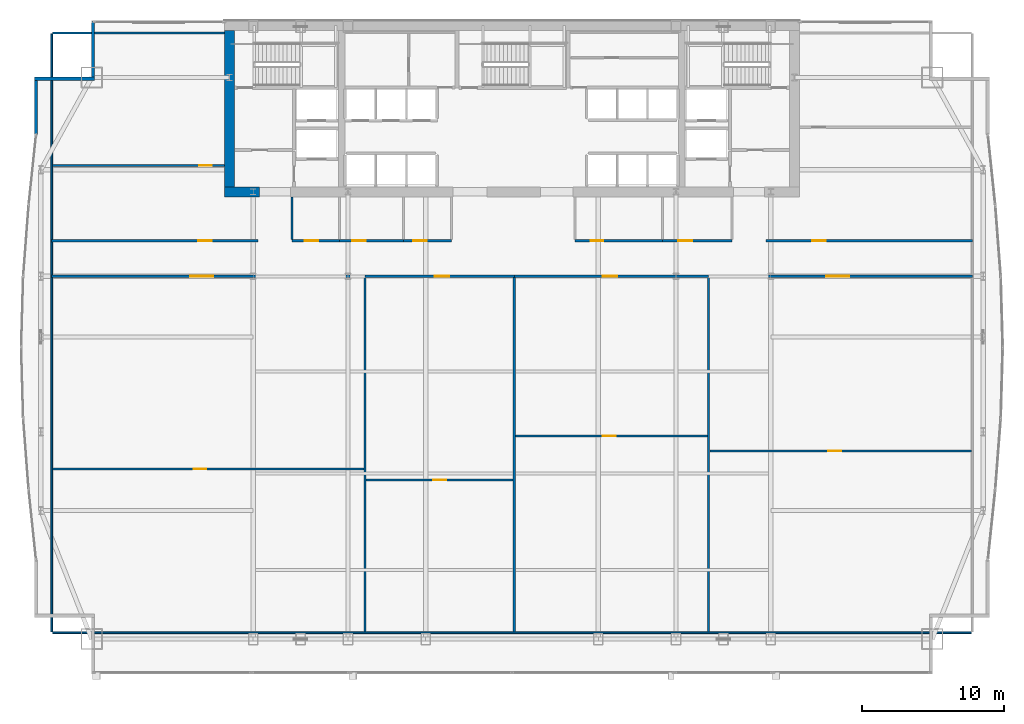
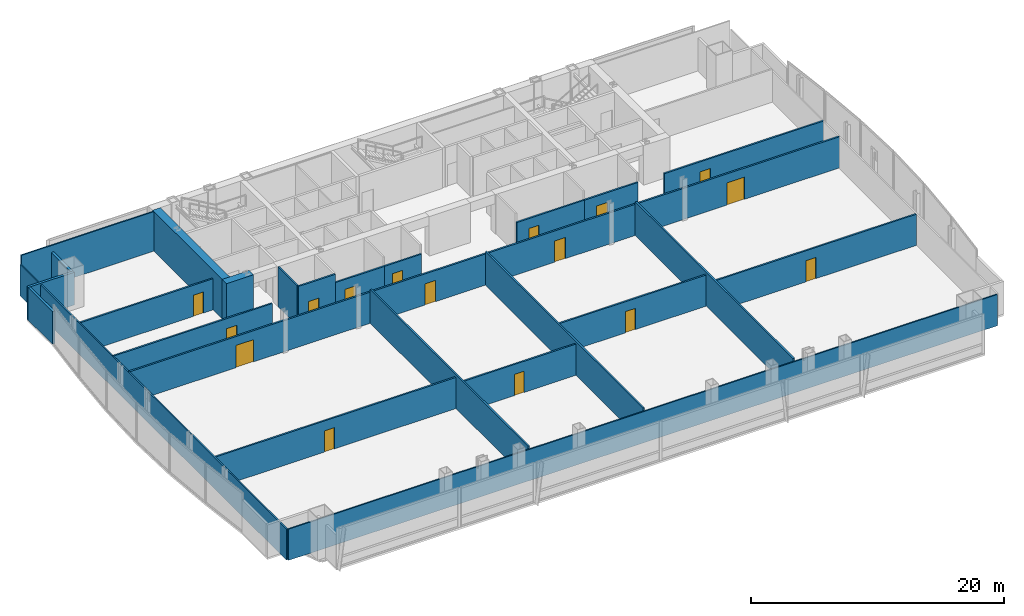
# One storey, part 26 of 30: 28 walls, 16 doors, 16 openings.
"""IFC4 building model written with IfcOpenShell, lengths in metres."""

from ifc_helpers import new_model, si_unit, direction, frame, frame_2d, origin, place, context, subcontext, project, spatial, rectangle, extrude, material, layer, layer_set, type_object, element, fill, save


model = new_model("IFC4")

# Units and contexts
model_context = context("Model", 3, precision=1e-05, world=origin(), true_north=direction((0.0, 1.0)))
body_context = subcontext(model_context, "Body", "Model", "MODEL_VIEW")
ifc_project = project(units=[si_unit("LENGTHUNIT", "METRE"), si_unit("AREAUNIT", "SQUARE_METRE"), si_unit("VOLUMEUNIT", "CUBIC_METRE"), si_unit("PLANEANGLEUNIT", "RADIAN"), si_unit("MASSUNIT", "GRAM", prefix="KILO")], contexts=[model_context])

# Site, building, storey
site_placement = place(None, origin())
site = spatial("IfcSite", under=ifc_project, at=site_placement, CompositionType="ELEMENT")
building_placement = place(site_placement, origin())
building = spatial("IfcBuilding", under=site, at=building_placement, Name="Khoronbel Lancet Exchange", CompositionType="ELEMENT")
storey_placement = place(building_placement, frame((0.0, 0.0, 90.60009765625)))
storey = spatial("IfcBuildingStorey", under=building, at=storey_placement, Name="L21", CompositionType="ELEMENT", Elevation=90.60009765625)

# Walls
ifc_material_1 = material(Name="Concrete C80/95", Category="concrete")
ifc_layer_1 = layer(ifc_material_1, 0.699951171875, Name="Concrete C80/95")
ifc_layer_set_1 = layer_set([ifc_layer_1], Name="Concrete C80/95")
wall_type_1 = type_object("IfcWallType", Name="WL-CW2", PredefinedType="SHEAR", material=ifc_layer_set_1)
wall_1_placement = place(storey_placement, frame((16.550048828125, 42.0, 0.0), z_axis=(0.0, 0.0, 1.0), x_axis=(0.0, 1.0, 0.0)))
element("IfcWall", 1, at=wall_1_placement, inside=storey, type_object=wall_type_1, Name="Level L21 rear core west shear wall", PredefinedType="SHEAR", context=body_context, shape_type="SweptSolid", body=[
    extrude(rectangle(XDim=11.0, YDim=0.699951171875, at=frame_2d((5.5, 0.0))), origin(), (0.0, 0.0, 1.0), 3.81982421875),
])
wall_2_placement = place(storey_placement, frame((18.64990234375, 41.64990234375, 0.0), z_axis=(0.0, 0.0, 1.0), x_axis=(-1.0, 0.0, 0.0)))
element("IfcWall", 2, at=wall_2_placement, inside=storey, type_object=wall_type_1, Name="Level L21 rear core south shear wall pier P1", PredefinedType="SHEAR", context=body_context, shape_type="SweptSolid", body=[
    extrude(rectangle(XDim=2.449951171875, YDim=0.699951171875, at=frame_2d((1.22509765625, 0.0))), origin(), (0.0, 0.0, 1.0), 3.81982421875),
])
ifc_material_2 = material(Name="Precast concrete C40/50", Category="concrete")
ifc_layer_2 = layer(ifc_material_2, 0.25, Name="Precast concrete C40/50")
ifc_layer_set_2 = layer_set([ifc_layer_2], Name="Precast concrete C40/50")
wall_type_2 = type_object("IfcWallType", Name="WL-EXT250", PredefinedType="SOLIDWALL", material=ifc_layer_set_2)
wall_3_placement = place(storey_placement, frame((2.93994140625, 45.67529296875, 0.0), z_axis=(0.0, 0.0, 1.0), x_axis=(0.0, 1.0, 0.0)))
element("IfcWall", 3, at=wall_3_placement, inside=storey, type_object=wall_type_2, Name="Level L21 notched-corner limestone pier 10", PredefinedType="SOLIDWALL", context=body_context, shape_type="SweptSolid", body=[
    extrude(rectangle(XDim=3.82470703125, YDim=0.219970703125, at=frame_2d((1.912353515625, 0.0))), origin(), (0.0, 0.0, 1.0), 3.159912109375),
])
wall_4_placement = place(storey_placement, frame((2.830078125, 49.610107421875, 0.0), z_axis=(0.0, 0.0, 1.0), x_axis=(1.0, 0.0, 0.0)))
element("IfcWall", 4, at=wall_4_placement, inside=storey, type_object=wall_type_2, Name="Level L21 notched-corner limestone pier 11", PredefinedType="SOLIDWALL", context=body_context, shape_type="SweptSolid", body=[
    extrude(rectangle(XDim=4.219970703125, YDim=0.219970703125, at=frame_2d((2.10986328125, 0.0))), origin(), (0.0, 0.0, 1.0), 3.159912109375),
])
wall_5_placement = place(storey_placement, frame((6.93994140625, 49.719970703125, 0.0), z_axis=(0.0, 0.0, 1.0), x_axis=(0.0, 1.0, 0.0)))
element("IfcWall", 5, at=wall_5_placement, inside=storey, type_object=wall_type_2, Name="Level L21 notched-corner limestone pier 12", PredefinedType="SOLIDWALL", context=body_context, shape_type="SweptSolid", body=[
    extrude(rectangle(XDim=3.909912109375, YDim=0.219970703125, at=frame_2d((1.955078125, 0.0))), origin(), (0.0, 0.0, 1.0), 3.159912109375),
])
ifc_material_3 = material(Name="Acoustic Metal-Stud & Mineral-Wool Gypsum Partition 120 mm", Category="gypsum")
ifc_layer_3 = layer(ifc_material_3, 0.1201171875, Name="Acoustic Metal-Stud & Mineral-Wool Gypsum Partition 120 mm")
ifc_layer_set_3 = layer_set([ifc_layer_3], Name="Acoustic Metal-Stud & Mineral-Wool Gypsum Partition 120 mm")
wall_type_3 = type_object("IfcWallType", Name="WL-PRT120", PredefinedType="PARTITIONING", material=ifc_layer_set_3)
wall_6_placement = place(storey_placement, frame((20.949951171875, 38.280029296875, 0.0), z_axis=(0.0, 0.0, 1.0), x_axis=(0.0, 1.0, 0.0)))
element("IfcWall", 6, at=wall_6_placement, inside=storey, type_object=wall_type_3, Name="Level L21 interior partition PW-WC-0", PredefinedType="PARTITIONING", context=body_context, shape_type="SweptSolid", body=[
    extrude(rectangle(XDim=3.02001953125, YDim=0.14990234375, at=frame_2d((1.510009765625, 0.0))), origin(), (0.0, 0.0, 1.0), 3.81982421875),
])

# Wall, opening, door
wall_7_placement = place(storey_placement, frame((4.094970703125, 43.5, 0.0), z_axis=(0.0, 0.0, 1.0), x_axis=(1.0, 0.0, 0.0)))
wall_7 = element("IfcWall", 7, at=wall_7_placement, inside=storey, type_object=wall_type_3, Name="Level L21 interior partition PW-NW-H", PredefinedType="PARTITIONING", context=body_context, shape_type="SweptSolid", body=[
    extrude(rectangle(XDim=12.10498046875, YDim=0.14990234375, at=frame_2d((6.052490234375, 0.0))), origin(), (0.0, 0.0, 1.0), 3.010009765625),
])
opening_1_placement = place(wall_7_placement, frame((10.320068359375, 0.0, 0.0)))
opening_1 = element("IfcOpeningElement", 8, at=opening_1_placement, cuts=wall_7, Name="Opening D5", PredefinedType="OPENING", context=body_context, shape_type="SweptSolid", body=[
    extrude(rectangle(XDim=0.89990234375, YDim=2.050048828125, at=frame_2d((0.449951171875, 1.02490234375))), frame((0.0, 0.0849609375, 0.0), z_axis=(0.0, -1.0, 0.0), x_axis=(1.0, 0.0, 0.0)), (0.0, 0.0, 1.0), 0.169921875),
])
ifc_material_4 = material(Name="Acoustic Timber Pantry & Support Door", Category="wood")
door_type_1 = type_object("IfcDoorType", Name="DR-D5", OperationType="NOTDEFINED", PredefinedType="DOOR", material=ifc_material_4)
door_1_placement = place(opening_1_placement, origin())
door_1 = element("IfcDoor", 9, at=door_1_placement, inside=storey, type_object=door_type_1, Name="NW north room door L21-1", OperationType="SINGLE_SWING_LEFT", OverallHeight=2.050048828125, OverallWidth=0.89990234375, PredefinedType="DOOR", context=body_context, shape_type="SweptSolid", body=[
    extrude(rectangle(XDim=0.89990234375, YDim=2.050048828125, at=frame_2d((0.449951171875, 1.02490234375))), frame((0.0, 0.02490234375, 0.0), z_axis=(0.0, -1.0, 0.0), x_axis=(1.0, 0.0, 0.0)), (0.0, 0.0, 1.0), 0.050048828125),
])
fill(opening_1, door_1)

wall_8_placement = place(storey_placement, frame((4.094970703125, 22.121337890625, 0.0), z_axis=(0.0, 0.0, 1.0), x_axis=(1.0, 0.0, 0.0)))
wall_8 = element("IfcWall", 10, at=wall_8_placement, inside=storey, type_object=wall_type_3, Name="Level L21 interior partition PW-Z1S-H1", PredefinedType="PARTITIONING", context=body_context, shape_type="SweptSolid", body=[
    extrude(rectangle(XDim=21.92822265625, YDim=0.14990234375, at=frame_2d((10.964111328125, 0.0))), origin(), (0.0, 0.0, 1.0), 3.010009765625),
])
opening_2_placement = place(wall_8_placement, frame((9.932861328125, 0.0, 0.0)))
opening_2 = element("IfcOpeningElement", 11, at=opening_2_placement, cuts=wall_8, Name="Opening D5", PredefinedType="OPENING", context=body_context, shape_type="SweptSolid", body=[
    extrude(rectangle(XDim=0.89990234375, YDim=2.050048828125, at=frame_2d((0.449951171875, 1.02490234375))), frame((0.0, 0.0849609375, 0.0), z_axis=(0.0, -1.0, 0.0), x_axis=(1.0, 0.0, 0.0)), (0.0, 0.0, 1.0), 0.169921875),
])
door_2_placement = place(opening_2_placement, origin())
door_2 = element("IfcDoor", 12, at=door_2_placement, inside=storey, type_object=door_type_1, Name="Z1S inner door 1 L21-1", OperationType="SINGLE_SWING_LEFT", OverallHeight=2.050048828125, OverallWidth=0.89990234375, PredefinedType="DOOR", context=body_context, shape_type="SweptSolid", body=[
    extrude(rectangle(XDim=0.89990234375, YDim=2.050048828125, at=frame_2d((0.449951171875, 1.02490234375))), frame((0.0, 0.02490234375, 0.0), z_axis=(0.0, -1.0, 0.0), x_axis=(1.0, 0.0, 0.0)), (0.0, 0.0, 1.0), 0.050048828125),
])
fill(opening_2, door_2)

wall_9_placement = place(storey_placement, frame((26.18310546875, 21.35400390625, 0.0), z_axis=(0.0, 0.0, 1.0), x_axis=(1.0, 0.0, 0.0)))
wall_9 = element("IfcWall", 13, at=wall_9_placement, inside=storey, type_object=wall_type_3, Name="Level L21 interior partition PW-Z1S-H2", PredefinedType="PARTITIONING", context=body_context, shape_type="SweptSolid", body=[
    extrude(rectangle(XDim=10.34619140625, YDim=0.14990234375, at=frame_2d((5.173095703125, 0.0))), origin(), (0.0, 0.0, 1.0), 3.010009765625),
])
opening_3_placement = place(wall_9_placement, frame((4.727783203125, 0.0, 0.0)))
opening_3 = element("IfcOpeningElement", 14, at=opening_3_placement, cuts=wall_9, Name="Opening D5", PredefinedType="OPENING", context=body_context, shape_type="SweptSolid", body=[
    extrude(rectangle(XDim=0.89990234375, YDim=2.050048828125, at=frame_2d((0.449951171875, 1.02490234375))), frame((0.0, 0.0849609375, 0.0), z_axis=(0.0, -1.0, 0.0), x_axis=(1.0, 0.0, 0.0)), (0.0, 0.0, 1.0), 0.169921875),
])
door_3_placement = place(opening_3_placement, origin())
door_3 = element("IfcDoor", 15, at=door_3_placement, inside=storey, type_object=door_type_1, Name="Z1S inner door 2 L21-1", OperationType="SINGLE_SWING_LEFT", OverallHeight=2.050048828125, OverallWidth=0.89990234375, PredefinedType="DOOR", context=body_context, shape_type="SweptSolid", body=[
    extrude(rectangle(XDim=0.89990234375, YDim=2.050048828125, at=frame_2d((0.449951171875, 1.02490234375))), frame((0.0, 0.02490234375, 0.0), z_axis=(0.0, -1.0, 0.0), x_axis=(1.0, 0.0, 0.0)), (0.0, 0.0, 1.0), 0.050048828125),
])
fill(opening_3, door_3)

wall_10_placement = place(storey_placement, frame((36.689208984375, 24.45947265625, 0.0), z_axis=(0.0, 0.0, 1.0), x_axis=(1.0, 0.0, 0.0)))
wall_10 = element("IfcWall", 16, at=wall_10_placement, inside=storey, type_object=wall_type_3, Name="Level L21 interior partition PW-Z1S-H3", PredefinedType="PARTITIONING", context=body_context, shape_type="SweptSolid", body=[
    extrude(rectangle(XDim=13.529541015625, YDim=0.14990234375, at=frame_2d((6.7646484375, 0.0))), origin(), (0.0, 0.0, 1.0), 3.010009765625),
])
opening_4_placement = place(wall_10_placement, frame((6.160400390625, 0.0, 0.0)))
opening_4 = element("IfcOpeningElement", 17, at=opening_4_placement, cuts=wall_10, Name="Opening D5", PredefinedType="OPENING", context=body_context, shape_type="SweptSolid", body=[
    extrude(rectangle(XDim=0.89990234375, YDim=2.050048828125, at=frame_2d((0.449951171875, 1.02490234375))), frame((0.0, 0.0849609375, 0.0), z_axis=(0.0, -1.0, 0.0), x_axis=(1.0, 0.0, 0.0)), (0.0, 0.0, 1.0), 0.169921875),
])
door_4_placement = place(opening_4_placement, origin())
door_4 = element("IfcDoor", 18, at=door_4_placement, inside=storey, type_object=door_type_1, Name="Z1S inner door 3 L21-1", OperationType="SINGLE_SWING_LEFT", OverallHeight=2.050048828125, OverallWidth=0.89990234375, PredefinedType="DOOR", context=body_context, shape_type="SweptSolid", body=[
    extrude(rectangle(XDim=0.89990234375, YDim=2.050048828125, at=frame_2d((0.449951171875, 1.02490234375))), frame((0.0, 0.02490234375, 0.0), z_axis=(0.0, -1.0, 0.0), x_axis=(1.0, 0.0, 0.0)), (0.0, 0.0, 1.0), 0.050048828125),
])
fill(opening_4, door_4)

wall_11_placement = place(storey_placement, frame((50.37890625, 23.404052734375, 0.0), z_axis=(0.0, 0.0, 1.0), x_axis=(1.0, 0.0, 0.0)))
wall_11 = element("IfcWall", 19, at=wall_11_placement, inside=storey, type_object=wall_type_3, Name="Level L21 interior partition PW-Z1S-H4", PredefinedType="PARTITIONING", context=body_context, shape_type="SweptSolid", body=[
    extrude(rectangle(XDim=18.426025390625, YDim=0.14990234375, at=frame_2d((9.212890625, 0.0))), origin(), (0.0, 0.0, 1.0), 3.010009765625),
])
opening_5_placement = place(wall_11_placement, frame((8.35693359375, 0.0, 0.0)))
opening_5 = element("IfcOpeningElement", 20, at=opening_5_placement, cuts=wall_11, Name="Opening D5", PredefinedType="OPENING", context=body_context, shape_type="SweptSolid", body=[
    extrude(rectangle(XDim=0.89990234375, YDim=2.050048828125, at=frame_2d((0.449951171875, 1.02490234375))), frame((0.0, 0.0849609375, 0.0), z_axis=(0.0, -1.0, 0.0), x_axis=(1.0, 0.0, 0.0)), (0.0, 0.0, 1.0), 0.169921875),
])
door_5_placement = place(opening_5_placement, origin())
door_5 = element("IfcDoor", 21, at=door_5_placement, inside=storey, type_object=door_type_1, Name="Z1S inner door 4 L21-1", OperationType="SINGLE_SWING_RIGHT", OverallHeight=2.050048828125, OverallWidth=0.89990234375, PredefinedType="DOOR", context=body_context, shape_type="SweptSolid", body=[
    extrude(rectangle(XDim=0.89990234375, YDim=2.050048828125, at=frame_2d((0.449951171875, 1.02490234375))), frame((0.0, 0.02490234375, 0.0), z_axis=(0.0, -1.0, 0.0), x_axis=(1.0, 0.0, 0.0)), (0.0, 0.0, 1.0), 0.050048828125),
])
fill(opening_5, door_5)

# Walls
wall_12_placement = place(storey_placement, frame((4.030029296875, 10.6650390625, 0.0), z_axis=(0.0, 0.0, 1.0), x_axis=(0.0, 1.0, 0.0)))
element("IfcWall", 22, at=wall_12_placement, inside=storey, type_object=wall_type_3, Name="Level L21 interior partition PW-LIN-W", PredefinedType="PARTITIONING", context=body_context, shape_type="SweptSolid", body=[
    extrude(rectangle(XDim=42.10986328125, YDim=0.1201171875, at=frame_2d((21.054931640625, 0.0))), origin(), (0.0, 0.0, 1.0), 3.010009765625),
])
wall_13_placement = place(storey_placement, frame((4.094970703125, 52.840087890625, 0.0), z_axis=(0.0, 0.0, 1.0), x_axis=(1.0, 0.0, 0.0)))
element("IfcWall", 23, at=wall_13_placement, inside=storey, type_object=wall_type_3, Name="Level L21 interior partition PW-LIN-NW", PredefinedType="PARTITIONING", context=body_context, shape_type="SweptSolid", body=[
    extrude(rectangle(XDim=12.10498046875, YDim=0.1201171875, at=frame_2d((6.052490234375, 0.0))), origin(), (0.0, 0.0, 1.0), 3.81982421875),
])
wall_14_placement = place(storey_placement, frame((4.094970703125, 10.60009765625, 0.0), z_axis=(0.0, 0.0, 1.0), x_axis=(1.0, 0.0, 0.0)))
element("IfcWall", 24, at=wall_14_placement, inside=storey, type_object=wall_type_3, Name="Level L21 interior partition PW-LIN-S", PredefinedType="PARTITIONING", context=body_context, shape_type="SweptSolid", body=[
    extrude(rectangle(XDim=64.7099609375, YDim=0.1201171875, at=frame_2d((32.35498046875, 0.0))), origin(), (0.0, 0.0, 1.0), 3.010009765625),
])

# Wall, opening, door
ifc_material_5 = material(Name="Fire-Rated Twin-Stud Acoustic Gypsum Partition 150 mm", Category="gypsum")
ifc_layer_4 = layer(ifc_material_5, 0.14990234375, Name="Fire-Rated Twin-Stud Acoustic Gypsum Partition 150 mm")
ifc_layer_set_4 = layer_set([ifc_layer_4], Name="Fire-Rated Twin-Stud Acoustic Gypsum Partition 150 mm")
wall_type_4 = type_object("IfcWallType", Name="WL-PRT150C", PredefinedType="PARTITIONING", material=ifc_layer_set_4)
wall_15_placement = place(storey_placement, frame((20.949951171875, 38.199951171875, 0.0), z_axis=(0.0, 0.0, 1.0), x_axis=(1.0, 0.0, 0.0)))
wall_15 = element("IfcWall", 25, at=wall_15_placement, inside=storey, type_object=wall_type_4, Name="Level L21 interior partition PW-WC-S1", PredefinedType="PARTITIONING", context=body_context, shape_type="SweptSolid", body=[
    extrude(rectangle(XDim=3.35009765625, YDim=0.14990234375, at=frame_2d((1.675048828125, 0.0))), origin(), (0.0, 0.0, 1.0), 3.81982421875),
])
opening_6_placement = place(wall_15_placement, frame((0.89990234375, 0.0, 0.0)))
opening_6 = element("IfcOpeningElement", 26, at=opening_6_placement, cuts=wall_15, Name="Opening D4", PredefinedType="OPENING", context=body_context, shape_type="SweptSolid", body=[
    extrude(rectangle(XDim=0.949951171875, YDim=2.050048828125, at=frame_2d((0.47509765625, 1.02490234375))), frame((0.0, 0.0849609375, 0.0), z_axis=(0.0, -1.0, 0.0), x_axis=(1.0, 0.0, 0.0)), (0.0, 0.0, 1.0), 0.169921875),
])
ifc_material_6 = material(Name="Moisture-Resistant HPL Washroom Door", Category="wood")
door_type_2 = type_object("IfcDoorType", Name="DR-D4", OperationType="NOTDEFINED", PredefinedType="DOOR", material=ifc_material_6)
door_6_placement = place(opening_6_placement, origin())
door_6 = element("IfcDoor", 27, at=door_6_placement, inside=storey, type_object=door_type_2, Name="Male washroom door L21-1", OperationType="SINGLE_SWING_RIGHT", OverallHeight=2.050048828125, OverallWidth=0.949951171875, PredefinedType="DOOR", context=body_context, shape_type="SweptSolid", body=[
    extrude(rectangle(XDim=0.949951171875, YDim=2.050048828125, at=frame_2d((0.47509765625, 1.02490234375))), frame((0.0, 0.02490234375, 0.0), z_axis=(0.0, -1.0, 0.0), x_axis=(1.0, 0.0, 0.0)), (0.0, 0.0, 1.0), 0.050048828125),
])
fill(opening_6, door_6)

wall_16_placement = place(storey_placement, frame((24.300048828125, 38.199951171875, 0.0), z_axis=(0.0, 0.0, 1.0), x_axis=(1.0, 0.0, 0.0)))
wall_16 = element("IfcWall", 28, at=wall_16_placement, inside=storey, type_object=wall_type_4, Name="Level L21 interior partition PW-WC-S2", PredefinedType="PARTITIONING", context=body_context, shape_type="SweptSolid", body=[
    extrude(rectangle(XDim=4.5, YDim=0.14990234375, at=frame_2d((2.25, 0.0))), origin(), (0.0, 0.0, 1.0), 3.010009765625),
])
opening_7_placement = place(wall_16_placement, frame((0.89990234375, 0.0, 0.0)))
opening_7 = element("IfcOpeningElement", 29, at=opening_7_placement, cuts=wall_16, Name="Opening D4", PredefinedType="OPENING", context=body_context, shape_type="SweptSolid", body=[
    extrude(rectangle(XDim=0.949951171875, YDim=2.050048828125, at=frame_2d((0.47509765625, 1.02490234375))), frame((0.0, 0.0849609375, 0.0), z_axis=(0.0, -1.0, 0.0), x_axis=(1.0, 0.0, 0.0)), (0.0, 0.0, 1.0), 0.169921875),
])
door_7_placement = place(opening_7_placement, origin())
door_7 = element("IfcDoor", 30, at=door_7_placement, inside=storey, type_object=door_type_2, Name="Female washroom door L21-1", OperationType="SINGLE_SWING_LEFT", OverallHeight=2.050048828125, OverallWidth=0.949951171875, PredefinedType="DOOR", context=body_context, shape_type="SweptSolid", body=[
    extrude(rectangle(XDim=0.949951171875, YDim=2.050048828125, at=frame_2d((0.47509765625, 1.02490234375))), frame((0.0, 0.02490234375, 0.0), z_axis=(0.0, -1.0, 0.0), x_axis=(1.0, 0.0, 0.0)), (0.0, 0.0, 1.0), 0.050048828125),
])
fill(opening_7, door_7)

wall_17_placement = place(storey_placement, frame((28.800048828125, 38.199951171875, 0.0), z_axis=(0.0, 0.0, 1.0), x_axis=(1.0, 0.0, 0.0)))
wall_17 = element("IfcWall", 31, at=wall_17_placement, inside=storey, type_object=wall_type_4, Name="Level L21 interior partition PW-WC-S3", PredefinedType="PARTITIONING", context=body_context, shape_type="SweptSolid", body=[
    extrude(rectangle(XDim=3.3798828125, YDim=0.14990234375, at=frame_2d((1.68994140625, 0.0))), origin(), (0.0, 0.0, 1.0), 3.010009765625),
])
opening_8_placement = place(wall_17_placement, frame((0.699951171875, 0.0, 0.0)))
opening_8 = element("IfcOpeningElement", 32, at=opening_8_placement, cuts=wall_17, Name="Opening D4", PredefinedType="OPENING", context=body_context, shape_type="SweptSolid", body=[
    extrude(rectangle(XDim=0.949951171875, YDim=2.050048828125, at=frame_2d((0.47509765625, 1.02490234375))), frame((0.0, 0.0849609375, 0.0), z_axis=(0.0, -1.0, 0.0), x_axis=(1.0, 0.0, 0.0)), (0.0, 0.0, 1.0), 0.169921875),
])
door_8_placement = place(opening_8_placement, origin())
door_8 = element("IfcDoor", 33, at=door_8_placement, inside=storey, type_object=door_type_2, Name="Accessible WC door L21-1", OperationType="SINGLE_SWING_RIGHT", OverallHeight=2.050048828125, OverallWidth=0.949951171875, PredefinedType="DOOR", context=body_context, shape_type="SweptSolid", body=[
    extrude(rectangle(XDim=0.949951171875, YDim=2.050048828125, at=frame_2d((0.47509765625, 1.02490234375))), frame((0.0, 0.02490234375, 0.0), z_axis=(0.0, -1.0, 0.0), x_axis=(1.0, 0.0, 0.0)), (0.0, 0.0, 1.0), 0.050048828125),
])
fill(opening_8, door_8)

wall_18_placement = place(storey_placement, frame((40.8798828125, 38.199951171875, 0.0), z_axis=(0.0, 0.0, 1.0), x_axis=(1.0, 0.0, 0.0)))
wall_18 = element("IfcWall", 34, at=wall_18_placement, inside=storey, type_object=wall_type_4, Name="Level L21 interior partition PW-NP-S1", PredefinedType="PARTITIONING", context=body_context, shape_type="SweptSolid", body=[
    extrude(rectangle(XDim=6.170166015625, YDim=0.14990234375, at=frame_2d((3.0849609375, 0.0))), origin(), (0.0, 0.0, 1.0), 3.010009765625),
])
opening_9_placement = place(wall_18_placement, frame((1.10009765625, 0.0, 0.0)))
opening_9 = element("IfcOpeningElement", 35, at=opening_9_placement, cuts=wall_18, Name="Opening D5", PredefinedType="OPENING", context=body_context, shape_type="SweptSolid", body=[
    extrude(rectangle(XDim=0.89990234375, YDim=2.050048828125, at=frame_2d((0.449951171875, 1.02490234375))), frame((0.0, 0.0849609375, 0.0), z_axis=(0.0, -1.0, 0.0), x_axis=(1.0, 0.0, 0.0)), (0.0, 0.0, 1.0), 0.169921875),
])
door_9_placement = place(opening_9_placement, origin())
door_9 = element("IfcDoor", 36, at=door_9_placement, inside=storey, type_object=door_type_1, Name="Floor refreshment pantry door L21-1", OperationType="SINGLE_SWING_LEFT", OverallHeight=2.050048828125, OverallWidth=0.89990234375, PredefinedType="DOOR", context=body_context, shape_type="SweptSolid", body=[
    extrude(rectangle(XDim=0.89990234375, YDim=2.050048828125, at=frame_2d((0.449951171875, 1.02490234375))), frame((0.0, 0.02490234375, 0.0), z_axis=(0.0, -1.0, 0.0), x_axis=(1.0, 0.0, 0.0)), (0.0, 0.0, 1.0), 0.050048828125),
])
fill(opening_9, door_9)

wall_19_placement = place(storey_placement, frame((47.050048828125, 38.199951171875, 0.0), z_axis=(0.0, 0.0, 1.0), x_axis=(1.0, 0.0, 0.0)))
wall_19 = element("IfcWall", 37, at=wall_19_placement, inside=storey, type_object=wall_type_4, Name="Level L21 interior partition PW-NP-S2", PredefinedType="PARTITIONING", context=body_context, shape_type="SweptSolid", body=[
    extrude(rectangle(XDim=4.89990234375, YDim=0.14990234375, at=frame_2d((2.449951171875, 0.0))), origin(), (0.0, 0.0, 1.0), 3.010009765625),
])
opening_10_placement = place(wall_19_placement, frame((1.10009765625, 0.0, 0.0)))
opening_10 = element("IfcOpeningElement", 38, at=opening_10_placement, cuts=wall_19, Name="Opening D2", PredefinedType="OPENING", context=body_context, shape_type="SweptSolid", body=[
    extrude(rectangle(XDim=1.0, YDim=2.050048828125, at=frame_2d((0.5, 1.02490234375))), frame((0.0, 0.0849609375, 0.0), z_axis=(0.0, -1.0, 0.0), x_axis=(1.0, 0.0, 0.0)), (0.0, 0.0, 1.0), 0.169921875),
])
ifc_material_7 = material(Name="Acoustic Veneered Timber & Bronze Frame Door", Category="wood")
door_type_3 = type_object("IfcDoorType", Name="DR-D2", OperationType="NOTDEFINED", PredefinedType="DOOR", material=ifc_material_7)
door_10_placement = place(opening_10_placement, origin())
door_10 = element("IfcDoor", 39, at=door_10_placement, inside=storey, type_object=door_type_3, Name="Floor store door L21-1", OperationType="SINGLE_SWING_RIGHT", OverallHeight=2.050048828125, OverallWidth=1.0, PredefinedType="DOOR", context=body_context, shape_type="SweptSolid", body=[
    extrude(rectangle(XDim=1.0, YDim=2.050048828125, at=frame_2d((0.5, 1.02490234375))), frame((0.0, 0.02490234375, 0.0), z_axis=(0.0, -1.0, 0.0), x_axis=(1.0, 0.0, 0.0)), (0.0, 0.0, 1.0), 0.050048828125),
])
fill(opening_10, door_10)

wall_20_placement = place(storey_placement, frame((4.030029296875, 38.199951171875, 0.0), z_axis=(0.0, 0.0, 1.0), x_axis=(1.0, 0.0, 0.0)))
wall_20 = element("IfcWall", 40, at=wall_20_placement, inside=storey, type_object=wall_type_4, Name="Level L21 interior partition PW-NW-S", PredefinedType="PARTITIONING", context=body_context, shape_type="SweptSolid", body=[
    extrude(rectangle(XDim=14.52001953125, YDim=0.14990234375, at=frame_2d((7.260009765625, 0.0))), origin(), (0.0, 0.0, 1.0), 3.010009765625),
])
opening_11_placement = place(wall_20_placement, frame((10.320068359375, 0.0, 0.0)))
opening_11 = element("IfcOpeningElement", 41, at=opening_11_placement, cuts=wall_20, Name="Opening D1", PredefinedType="OPENING", context=body_context, shape_type="SweptSolid", body=[
    extrude(rectangle(XDim=0.949951171875, YDim=2.050048828125, at=frame_2d((0.47509765625, 1.02490234375))), frame((0.0, 0.0849609375, 0.0), z_axis=(0.0, -1.0, 0.0), x_axis=(1.0, 0.0, 0.0)), (0.0, 0.0, 1.0), 0.169921875),
])
door_type_4 = type_object("IfcDoorType", Name="DR-D1", OperationType="NOTDEFINED", PredefinedType="DOOR", material=ifc_material_7)
door_11_placement = place(opening_11_placement, origin())
door_11 = element("IfcDoor", 42, at=door_11_placement, inside=storey, type_object=door_type_4, Name="NW corner room door L21-1", OperationType="SINGLE_SWING_LEFT", OverallHeight=2.050048828125, OverallWidth=0.949951171875, PredefinedType="DOOR", context=body_context, shape_type="SweptSolid", body=[
    extrude(rectangle(XDim=0.949951171875, YDim=2.050048828125, at=frame_2d((0.47509765625, 1.02490234375))), frame((0.0, 0.02490234375, 0.0), z_axis=(0.0, -1.0, 0.0), x_axis=(1.0, 0.0, 0.0)), (0.0, 0.0, 1.0), 0.050048828125),
])
fill(opening_11, door_11)

wall_21_placement = place(storey_placement, frame((54.35009765625, 38.199951171875, 0.0), z_axis=(0.0, 0.0, 1.0), x_axis=(1.0, 0.0, 0.0)))
wall_21 = element("IfcWall", 43, at=wall_21_placement, inside=storey, type_object=wall_type_4, Name="Level L21 interior partition PW-NE-S", PredefinedType="PARTITIONING", context=body_context, shape_type="SweptSolid", body=[
    extrude(rectangle(XDim=14.52001953125, YDim=0.14990234375, at=frame_2d((7.260009765625, 0.0))), origin(), (0.0, 0.0, 1.0), 3.010009765625),
])
opening_12_placement = place(wall_21_placement, frame((3.25, 0.0, 0.0)))
opening_12 = element("IfcOpeningElement", 44, at=opening_12_placement, cuts=wall_21, Name="Opening D1", PredefinedType="OPENING", context=body_context, shape_type="SweptSolid", body=[
    extrude(rectangle(XDim=0.949951171875, YDim=2.050048828125, at=frame_2d((0.47509765625, 1.02490234375))), frame((0.0, 0.0849609375, 0.0), z_axis=(0.0, -1.0, 0.0), x_axis=(1.0, 0.0, 0.0)), (0.0, 0.0, 1.0), 0.169921875),
])
door_12_placement = place(opening_12_placement, origin())
door_12 = element("IfcDoor", 45, at=door_12_placement, inside=storey, type_object=door_type_4, Name="NE corner room door L21-1", OperationType="SINGLE_SWING_RIGHT", OverallHeight=2.050048828125, OverallWidth=0.949951171875, PredefinedType="DOOR", context=body_context, shape_type="SweptSolid", body=[
    extrude(rectangle(XDim=0.949951171875, YDim=2.050048828125, at=frame_2d((0.47509765625, 1.02490234375))), frame((0.0, 0.02490234375, 0.0), z_axis=(0.0, -1.0, 0.0), x_axis=(1.0, 0.0, 0.0)), (0.0, 0.0, 1.0), 0.050048828125),
])
fill(opening_12, door_12)

# Walls
for number, where, z_axis, x_axis, name in (
    (46, (26.103271484375, 10.6650390625, 0.0), (0.0, 0.0, 1.0), (0.0, 1.0, 0.0), "Level L21 interior partition PW-Z1S-V1"),
    (47, (36.609130859375, 10.6650390625, 0.0), (0.0, 0.0, 1.0), (0.0, 1.0, 0.0), "Level L21 interior partition PW-Z1S-V2"),
    (48, (50.298828125, 10.6650390625, 0.0), (0.0, 0.0, 1.0), (0.0, 1.0, 0.0), "Level L21 interior partition PW-Z1S-V3"),
):
    element("IfcWall", number, at=place(storey_placement, frame(where, z_axis=z_axis, x_axis=x_axis)), inside=storey, type_object=wall_type_4, Name=name, PredefinedType="PARTITIONING", context=body_context, shape_type="SweptSolid", body=[
        extrude(rectangle(XDim=24.949951171875, YDim=0.14990234375, at=frame_2d((12.47509765625, 0.0))), origin(), (0.0, 0.0, 1.0), 3.260009765625),
    ])

# Wall, opening, door
ifc_material_8 = material(Name="Fire-Rated Twin-Stud Acoustic Gypsum Partition 160 mm", Category="gypsum")
ifc_layer_5 = layer(ifc_material_8, 0.159912109375, Name="Fire-Rated Twin-Stud Acoustic Gypsum Partition 160 mm")
ifc_layer_set_5 = layer_set([ifc_layer_5], Name="Fire-Rated Twin-Stud Acoustic Gypsum Partition 160 mm")
wall_type_5 = type_object("IfcWallType", Name="WL-PRT160C", PredefinedType="PARTITIONING", material=ifc_layer_set_5)
wall_22_placement = place(storey_placement, frame((4.030029296875, 35.699951171875, 0.0), z_axis=(0.0, 0.0, 1.0), x_axis=(1.0, 0.0, 0.0)))
wall_22 = element("IfcWall", 49, at=wall_22_placement, inside=storey, type_object=wall_type_5, Name="Level L21 interior partition PW-Z1S-COR1", PredefinedType="PARTITIONING", context=body_context, shape_type="SweptSolid", body=[
    extrude(rectangle(XDim=22.0732421875, YDim=0.159912109375, at=frame_2d((11.03662109375, 0.0))), origin(), (0.0, 0.0, 1.0), 3.010009765625),
])
opening_13_placement = place(wall_22_placement, frame((9.770751953125, 0.0, 0.0)))
opening_13 = element("IfcOpeningElement", 50, at=opening_13_placement, cuts=wall_22, Name="Opening D3", PredefinedType="OPENING", context=body_context, shape_type="SweptSolid", body=[
    extrude(rectangle(XDim=1.60009765625, YDim=2.14990234375, at=frame_2d((0.800048828125, 1.074951171875))), frame((0.0, 0.08984375, 0.0), z_axis=(0.0, -1.0, 0.0), x_axis=(1.0, 0.0, 0.0)), (0.0, 0.0, 1.0), 0.179931640625),
])
ifc_material_9 = material(Name="Glazed Bronze-Framed Double Suite Door", Category="aluminium")
door_type_5 = type_object("IfcDoorType", Name="DR-D3", OperationType="NOTDEFINED", PredefinedType="DOOR", material=ifc_material_9)
door_13_placement = place(opening_13_placement, origin())
door_13 = element("IfcDoor", 51, at=door_13_placement, inside=storey, type_object=door_type_5, Name="Z1S bay 1 door L21-1", OperationType="DOUBLE_DOOR_SINGLE_SWING", OverallHeight=2.14990234375, OverallWidth=1.60009765625, PredefinedType="DOOR", context=body_context, shape_type="SweptSolid", body=[
    extrude(rectangle(XDim=1.60009765625, YDim=2.14990234375, at=frame_2d((0.800048828125, 1.074951171875))), frame((0.0, 0.02490234375, 0.0), z_axis=(0.0, -1.0, 0.0), x_axis=(1.0, 0.0, 0.0)), (0.0, 0.0, 1.0), 0.050048828125),
])
fill(opening_13, door_13)

wall_23_placement = place(storey_placement, frame((26.103271484375, 35.699951171875, 0.0), z_axis=(0.0, 0.0, 1.0), x_axis=(1.0, 0.0, 0.0)))
wall_23 = element("IfcWall", 52, at=wall_23_placement, inside=storey, type_object=wall_type_5, Name="Level L21 interior partition PW-Z1S-COR2", PredefinedType="PARTITIONING", context=body_context, shape_type="SweptSolid", body=[
    extrude(rectangle(XDim=10.505859375, YDim=0.159912109375, at=frame_2d((5.2529296875, 0.0))), origin(), (0.0, 0.0, 1.0), 3.010009765625),
])
opening_14_placement = place(wall_23_placement, frame((4.91259765625, 0.0, 0.0)))
opening_14 = element("IfcOpeningElement", 53, at=opening_14_placement, cuts=wall_23, Name="Opening D2", PredefinedType="OPENING", context=body_context, shape_type="SweptSolid", body=[
    extrude(rectangle(XDim=1.0, YDim=2.050048828125, at=frame_2d((0.5, 1.02490234375))), frame((0.0, 0.08984375, 0.0), z_axis=(0.0, -1.0, 0.0), x_axis=(1.0, 0.0, 0.0)), (0.0, 0.0, 1.0), 0.179931640625),
])
door_14_placement = place(opening_14_placement, origin())
door_14 = element("IfcDoor", 54, at=door_14_placement, inside=storey, type_object=door_type_3, Name="Z1S bay 2 door L21-1", OperationType="SINGLE_SWING_RIGHT", OverallHeight=2.050048828125, OverallWidth=1.0, PredefinedType="DOOR", context=body_context, shape_type="SweptSolid", body=[
    extrude(rectangle(XDim=1.0, YDim=2.050048828125, at=frame_2d((0.5, 1.02490234375))), frame((0.0, 0.02490234375, 0.0), z_axis=(0.0, -1.0, 0.0), x_axis=(1.0, 0.0, 0.0)), (0.0, 0.0, 1.0), 0.050048828125),
])
fill(opening_14, door_14)

wall_24_placement = place(storey_placement, frame((36.609130859375, 35.699951171875, 0.0), z_axis=(0.0, 0.0, 1.0), x_axis=(1.0, 0.0, 0.0)))
wall_24 = element("IfcWall", 55, at=wall_24_placement, inside=storey, type_object=wall_type_5, Name="Level L21 interior partition PW-Z1S-COR3", PredefinedType="PARTITIONING", context=body_context, shape_type="SweptSolid", body=[
    extrude(rectangle(XDim=13.689697265625, YDim=0.159912109375, at=frame_2d((6.8447265625, 0.0))), origin(), (0.0, 0.0, 1.0), 3.010009765625),
])
opening_15_placement = place(wall_24_placement, frame((6.24951171875, 0.0, 0.0)))
opening_15 = element("IfcOpeningElement", 56, at=opening_15_placement, cuts=wall_24, Name="Opening D2", PredefinedType="OPENING", context=body_context, shape_type="SweptSolid", body=[
    extrude(rectangle(XDim=1.0, YDim=2.050048828125, at=frame_2d((0.5, 1.02490234375))), frame((0.0, 0.08984375, 0.0), z_axis=(0.0, -1.0, 0.0), x_axis=(1.0, 0.0, 0.0)), (0.0, 0.0, 1.0), 0.179931640625),
])
door_15_placement = place(opening_15_placement, origin())
door_15 = element("IfcDoor", 57, at=door_15_placement, inside=storey, type_object=door_type_3, Name="Z1S bay 3 door L21-1", OperationType="SINGLE_SWING_RIGHT", OverallHeight=2.050048828125, OverallWidth=1.0, PredefinedType="DOOR", context=body_context, shape_type="SweptSolid", body=[
    extrude(rectangle(XDim=1.0, YDim=2.050048828125, at=frame_2d((0.5, 1.02490234375))), frame((0.0, 0.02490234375, 0.0), z_axis=(0.0, -1.0, 0.0), x_axis=(1.0, 0.0, 0.0)), (0.0, 0.0, 1.0), 0.050048828125),
])
fill(opening_15, door_15)

wall_25_placement = place(storey_placement, frame((50.298828125, 35.699951171875, 0.0), z_axis=(0.0, 0.0, 1.0), x_axis=(1.0, 0.0, 0.0)))
wall_25 = element("IfcWall", 58, at=wall_25_placement, inside=storey, type_object=wall_type_5, Name="Level L21 interior partition PW-Z1S-COR4", PredefinedType="PARTITIONING", context=body_context, shape_type="SweptSolid", body=[
    extrude(rectangle(XDim=18.5712890625, YDim=0.159912109375, at=frame_2d((9.28564453125, 0.0))), origin(), (0.0, 0.0, 1.0), 3.010009765625),
])
opening_16_placement = place(wall_25_placement, frame((8.2998046875, 0.0, 0.0)))
opening_16 = element("IfcOpeningElement", 59, at=opening_16_placement, cuts=wall_25, Name="Opening D3", PredefinedType="OPENING", context=body_context, shape_type="SweptSolid", body=[
    extrude(rectangle(XDim=1.60009765625, YDim=2.14990234375, at=frame_2d((0.800048828125, 1.074951171875))), frame((0.0, 0.08984375, 0.0), z_axis=(0.0, -1.0, 0.0), x_axis=(1.0, 0.0, 0.0)), (0.0, 0.0, 1.0), 0.179931640625),
])
door_16_placement = place(opening_16_placement, origin())
door_16 = element("IfcDoor", 60, at=door_16_placement, inside=storey, type_object=door_type_5, Name="Z1S bay 4 door L21-1", OperationType="DOUBLE_DOOR_SINGLE_SWING", OverallHeight=2.14990234375, OverallWidth=1.60009765625, PredefinedType="DOOR", context=body_context, shape_type="SweptSolid", body=[
    extrude(rectangle(XDim=1.60009765625, YDim=2.14990234375, at=frame_2d((0.800048828125, 1.074951171875))), frame((0.0, 0.02490234375, 0.0), z_axis=(0.0, -1.0, 0.0), x_axis=(1.0, 0.0, 0.0)), (0.0, 0.0, 1.0), 0.050048828125),
])
fill(opening_16, door_16)

save(model, "model.ifc")
